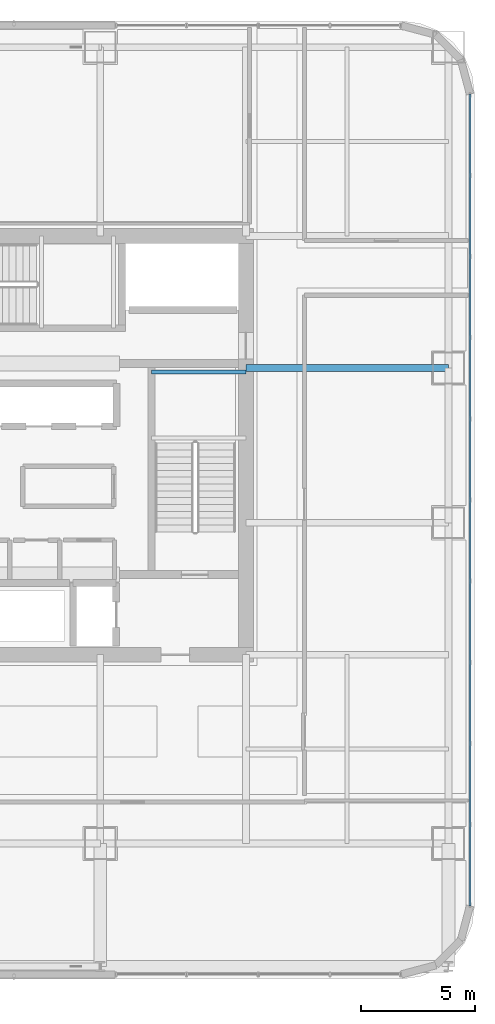
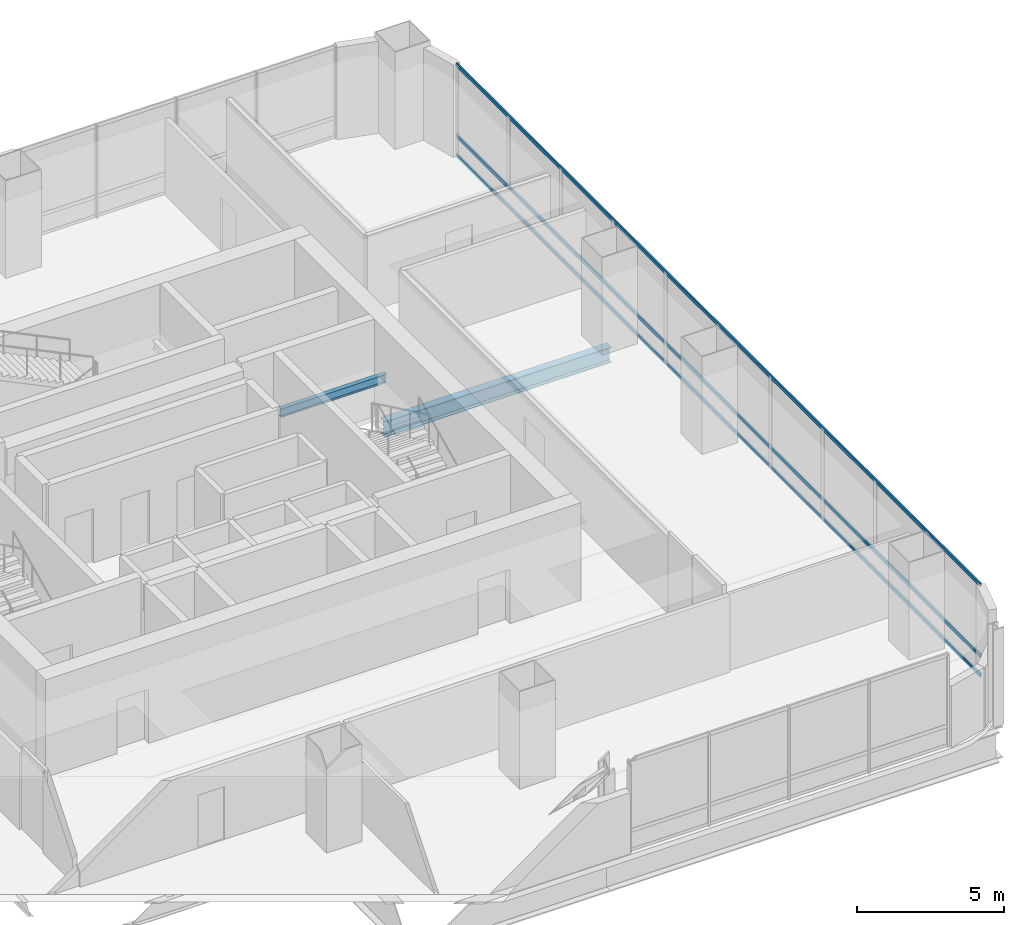
# One storey, part 15 of 38: 3 members, 2 beams, 1 element without a shape of its own.
"""IFC4 building model written with IfcOpenShell, lengths in metres."""

from ifc_helpers import new_model, si_unit, direction, frame, origin, origin_2d, place, context, subcontext, project, spatial, hollow_rectangle, i_section, extrude, material, material_profile, profile_set, type_object, element, aggregate, save


model = new_model("IFC4")

# Units and contexts
model_context = context("Model", 3, precision=1e-05, world=origin(), true_north=direction((0.0, 1.0)))
body_context = subcontext(model_context, "Body", "Model", "MODEL_VIEW")
ifc_project = project(units=[si_unit("LENGTHUNIT", "METRE"), si_unit("AREAUNIT", "SQUARE_METRE"), si_unit("VOLUMEUNIT", "CUBIC_METRE"), si_unit("PLANEANGLEUNIT", "RADIAN"), si_unit("MASSUNIT", "GRAM", prefix="KILO")], contexts=[model_context])

# Site, building, storey
site_placement = place(None, origin())
site = spatial("IfcSite", under=ifc_project, at=site_placement, CompositionType="ELEMENT")
building_placement = place(site_placement, origin())
building = spatial("IfcBuilding", under=site, at=building_placement, Name="Punatoya Terracotta Tower", CompositionType="ELEMENT")
storey_placement = place(building_placement, frame((0.0, 0.0, 188.39990234375)))
storey = spatial("IfcBuildingStorey", under=building, at=storey_placement, Name="L44", CompositionType="ELEMENT", Elevation=188.39990234375)

# Beams
ifc_material_1 = material(Name="Steel S355", Category="steel")
ifc_material_profile_1 = material_profile(ifc_material_1, i_section(OverallWidth=0.300048828125, OverallDepth=0.64990234375, WebThickness=0.01611328125, FlangeThickness=0.031005859375, FilletRadius=0.01806640625, at=origin_2d()))
ifc_profile_set_1 = profile_set([ifc_material_profile_1], Name="Steel S355")
beam_type_1 = type_object("IfcBeamType", Name="BM-PRI-650", PredefinedType="BEAM", material=ifc_profile_set_1)
beam_1_placement = place(storey_placement, frame((10.199951171875, 3.39990234375, -0.544921875), z_axis=(1.0, 0.0, 0.0), x_axis=(0.0, 1.0, 0.0)))
element("IfcBeam", 1, at=beam_1_placement, inside=storey, type_object=beam_type_1, Name="BM-L44-PR-EE", PredefinedType="BEAM", context=body_context, shape_type="SweptSolid", body=[
    extrude(i_section(OverallWidth=0.300048828125, OverallDepth=0.64990234375, WebThickness=0.01611328125, FlangeThickness=0.031005859375, FilletRadius=0.01806640625, at=origin_2d()), origin(), (0.0, 0.0, 1.0), 8.900146484375),
])
ifc_material_profile_2 = material_profile(ifc_material_1, i_section(OverallWidth=0.169921875, OverallDepth=0.360107421875, WebThickness=0.008056640625, FlangeThickness=0.0126953125, FilletRadius=0.01806640625, at=origin_2d()))
ifc_profile_set_2 = profile_set([ifc_material_profile_2], Name="Steel S355")
beam_type_2 = type_object("IfcBeamType", Name="BM-SEC-360", PredefinedType="JOIST", material=ifc_profile_set_2)
beam_2_placement = place(storey_placement, frame((6.050048828125, 3.22998046875, 1.64501953125), z_axis=(1.0, 0.0, 0.0), x_axis=(0.0, 1.0, 0.0)))
element("IfcBeam", 2, at=beam_2_placement, inside=storey, type_object=beam_type_2, Name="BM-L44-ST-2-LD1B", PredefinedType="JOIST", context=body_context, shape_type="SweptSolid", body=[
    extrude(i_section(OverallWidth=0.169921875, OverallDepth=0.360107421875, WebThickness=0.008056640625, FlangeThickness=0.0126953125, FilletRadius=0.01806640625, at=origin_2d()), origin(), (0.0, 0.0, 1.0), 4.14990234375),
])

# Curtain wall, members
ifc_material_2 = material(Name="Aluminium 6063-T6 + Double Low-E Glass", Category="aluminium")
curtain_wall_type = type_object("IfcCurtainWallType", Name="CW-M2", PredefinedType="NOTDEFINED", material=ifc_material_2)
curtain_wall_placement = place(storey_placement, origin())
curtain_wall = element("IfcCurtainWall", 3, at=curtain_wall_placement, inside=storey, type_object=curtain_wall_type, Name="L44 Curtain Wall CW-L44-E05-1", PredefinedType="NOTDEFINED")
ifc_material_3 = material(Name="Aluminium 6063-T6", Category="aluminium")
ifc_material_profile_3 = material_profile(ifc_material_3, hollow_rectangle(XDim=0.068115234375, YDim=0.14990234375, WallThickness=0.00390625, at=origin_2d()))
ifc_profile_set_3 = profile_set([ifc_material_profile_3], Name="Aluminium 6063-T6")
member_type = type_object("IfcMemberType", Name="CW-TRN-TYP", PredefinedType="USERDEFINED", material=ifc_profile_set_3)
member_1_placement = place(storey_placement, frame((20.050048828125, -20.23681640625, 0.0400390625), z_axis=(0.0, 1.0, 0.0), x_axis=(-1.0, 0.0, 0.0)))
member_1 = element("IfcMember", 4, at=member_1_placement, type_object=member_type, Name="CW-L44-E05-1 Transom 1", ObjectType="TRANSOM", PredefinedType="USERDEFINED", context=body_context, shape_type="SweptSolid", body=[
    extrude(hollow_rectangle(XDim=0.068115234375, YDim=0.14990234375, WallThickness=0.00390625, at=origin_2d()), origin(), (0.0, 0.0, 1.0), 35.673828125),
])
member_2_placement = place(storey_placement, frame((20.050048828125, -20.23681640625, 0.85009765625), z_axis=(0.0, 1.0, 0.0), x_axis=(-1.0, 0.0, 0.0)))
member_2 = element("IfcMember", 5, at=member_2_placement, type_object=member_type, Name="CW-L44-E05-1 Transom 2", ObjectType="TRANSOM", PredefinedType="USERDEFINED", context=body_context, shape_type="SweptSolid", body=[
    extrude(hollow_rectangle(XDim=0.068115234375, YDim=0.14990234375, WallThickness=0.00390625, at=origin_2d()), origin(), (0.0, 0.0, 1.0), 35.673828125),
])
member_3_placement = place(storey_placement, frame((20.050048828125, -20.23681640625, 3.7900390625), z_axis=(0.0, 1.0, 0.0), x_axis=(-1.0, 0.0, 0.0)))
member_3 = element("IfcMember", 6, at=member_3_placement, type_object=member_type, Name="CW-L44-E05-1 Transom 3", ObjectType="TRANSOM", PredefinedType="USERDEFINED", context=body_context, shape_type="SweptSolid", body=[
    extrude(hollow_rectangle(XDim=0.068115234375, YDim=0.14990234375, WallThickness=0.00390625, at=origin_2d()), origin(), (0.0, 0.0, 1.0), 35.673828125),
])
aggregate(curtain_wall, [member_1, member_2, member_3])

save(model, "model.ifc")
